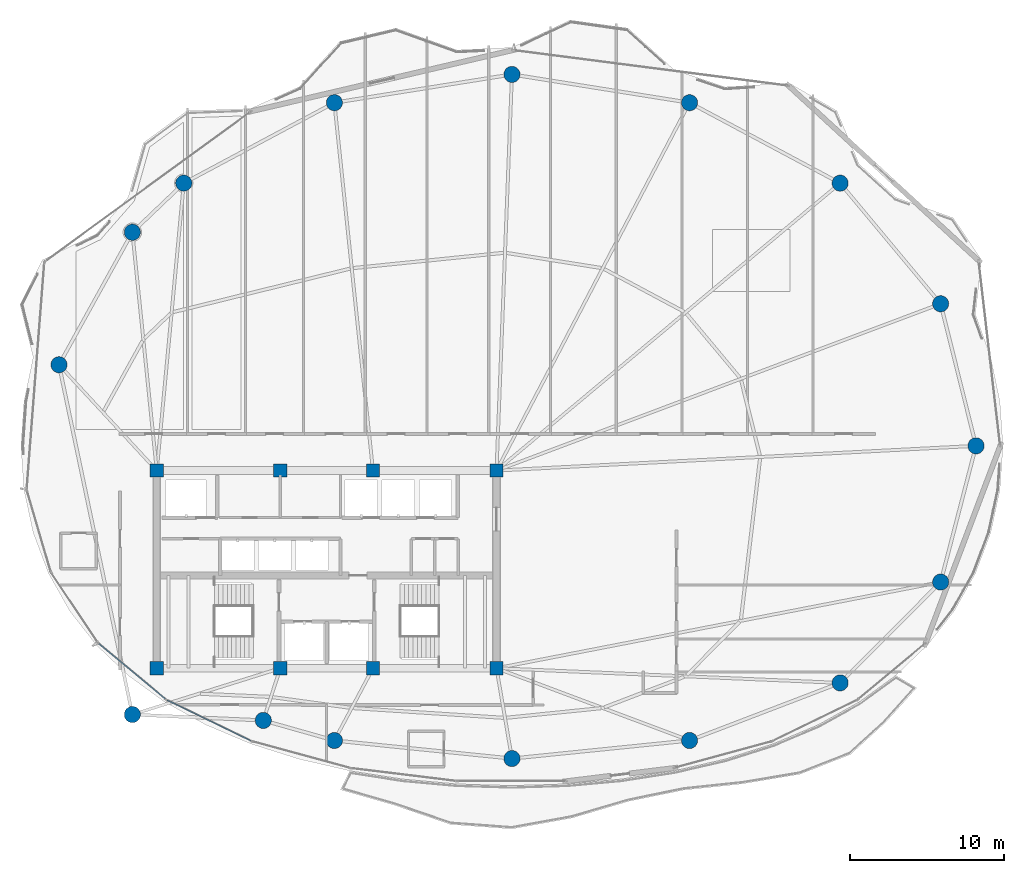
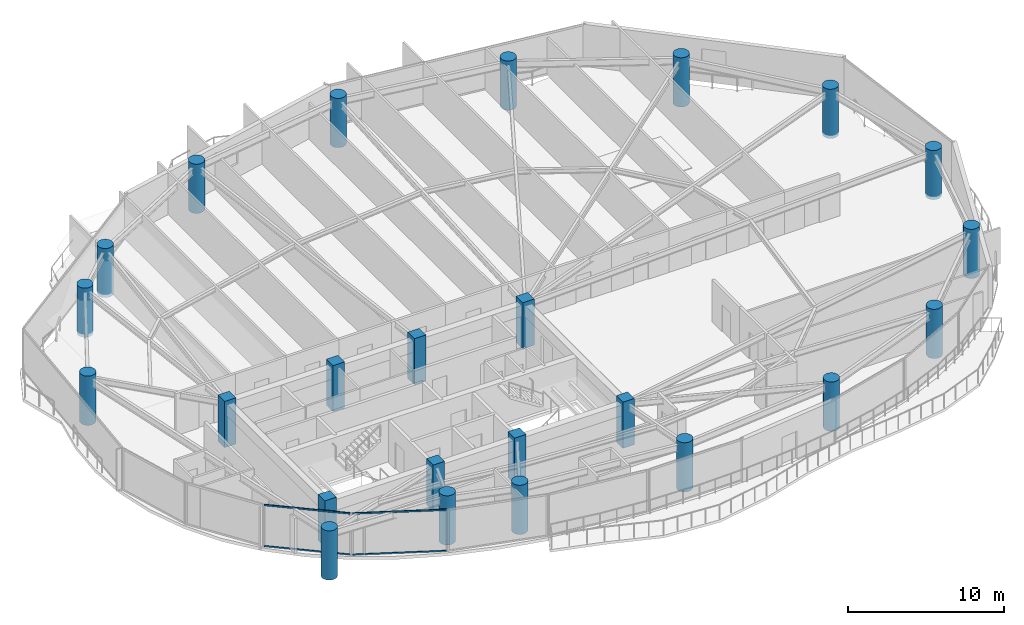
# One storey, part 1 of 31: 24 columns, 4 members, 2 elements without a shape of their own.
"""IFC4 building model written with IfcOpenShell, lengths in metres."""

from ifc_helpers import new_model, si_unit, direction, frame, origin, origin_2d, place, context, subcontext, project, spatial, rectangle, hollow_rectangle, circle, extrude, material, layer, layer_set, material_profile, profile_set, type_object, element, aggregate, save


model = new_model("IFC4")

# Units and contexts
model_context = context("Model", 3, precision=1e-05, world=origin(), true_north=direction((0.0, 1.0)))
body_context = subcontext(model_context, "Body", "Model", "MODEL_VIEW")
ifc_project = project(units=[si_unit("LENGTHUNIT", "METRE"), si_unit("AREAUNIT", "SQUARE_METRE"), si_unit("VOLUMEUNIT", "CUBIC_METRE"), si_unit("PLANEANGLEUNIT", "RADIAN"), si_unit("MASSUNIT", "GRAM", prefix="KILO")], contexts=[model_context])

# Site, building, storey
site_placement = place(None, origin())
site = spatial("IfcSite", under=ifc_project, at=site_placement, CompositionType="ELEMENT")
building_placement = place(site_placement, origin())
building = spatial("IfcBuilding", under=site, at=building_placement, Name="Kazevale Care Tower and Concert Hall", CompositionType="ELEMENT")
storey_placement = place(building_placement, frame((0.0, 0.0, 187.199951171875)))
storey = spatial("IfcBuildingStorey", under=building, at=storey_placement, Name="L49", CompositionType="ELEMENT", Elevation=187.199951171875)

# Columns
ifc_material_1 = material(Name="Concrete C50", Category="concrete")
ifc_material_profile_1 = material_profile(ifc_material_1, rectangle(XDim=0.85009765625, YDim=0.85009765625, at=origin_2d()), Name="RC-SQ850")
ifc_profile_set_1 = profile_set([ifc_material_profile_1], Name="Concrete C50")
column_type_1 = type_object("IfcColumnType", Name="Core Column SQ850 C50", PredefinedType="COLUMN", material=ifc_profile_set_1)
for number, where, z_axis, x_axis, name in (
    (1, (22.0, 23.60009765625, 0.0), (0.0, 0.0, 1.0), (1.0, 0.0, 0.0), "col:L49:CC-01"),
    (2, (30.0, 23.60009765625, 0.0), (0.0, 0.0, 1.0), (1.0, 0.0, 0.0), "col:L49:CC-02"),
    (3, (36.0, 23.60009765625, 0.0), (0.0, 0.0, 1.0), (1.0, 0.0, 0.0), "col:L49:CC-03"),
    (4, (44.0, 23.60009765625, 0.0), (0.0, 0.0, 1.0), (1.0, 0.0, 0.0), "col:L49:CC-04"),
    (5, (44.0, 36.39990234375, 0.0), (0.0, 0.0, 1.0), (1.0, 0.0, 0.0), "col:L49:CC-05"),
    (6, (36.0, 36.39990234375, 0.0), (0.0, 0.0, 1.0), (1.0, 0.0, 0.0), "col:L49:CC-06"),
    (7, (30.0, 36.39990234375, 0.0), (0.0, 0.0, 1.0), (1.0, 0.0, 0.0), "col:L49:CC-07"),
    (8, (22.0, 36.39990234375, 0.0), (0.0, 0.0, 1.0), (1.0, 0.0, 0.0), "col:L49:CC-08"),
):
    element("IfcColumn", number, at=place(storey_placement, frame(where, z_axis=z_axis, x_axis=x_axis)), inside=storey, type_object=column_type_1, Name=name, PredefinedType="COLUMN", context=body_context, shape_type="SweptSolid", body=[
        extrude(rectangle(XDim=0.85009765625, YDim=0.85009765625, at=origin_2d()), origin(), (0.0, 0.0, 1.0), 3.60009765625),
    ])
ifc_material_profile_2 = material_profile(ifc_material_1, circle(Radius=0.52490234375, at=origin_2d()), Name="RC-CIR1050")
ifc_profile_set_2 = profile_set([ifc_material_profile_2], Name="Concrete C50")
column_type_2 = type_object("IfcColumnType", Name="Perimeter Column CIR1050 C50", PredefinedType="COLUMN", material=ifc_profile_set_2)
for number, where, z_axis, x_axis, name in (
    (9, (75.050048828125, 38.0, -0.239990234375), (0.0, 0.0, 1.0), (1.0, 0.0, 0.0), "col:L49:PC-01"),
    (10, (72.760009765625, 47.199951171875, -0.239990234375), (0.0, 0.0, 1.0), (1.0, 0.0, 0.0), "col:L49:PC-02"),
    (11, (66.25, 55.010009765625, -0.239990234375), (0.0, 0.0, 1.0), (1.0, 0.0, 0.0), "col:L49:PC-03"),
    (12, (56.5, 60.219970703125, -0.239990234375), (0.0, 0.0, 1.0), (1.0, 0.0, 0.0), "col:L49:PC-04"),
    (13, (45.0, 62.050048828125, -0.239990234375), (0.0, 0.0, 1.0), (1.0, 0.0, 0.0), "col:L49:PC-05"),
    (14, (33.5, 60.219970703125, -0.239990234375), (0.0, 0.0, 1.0), (1.0, 0.0, 0.0), "col:L49:PC-06"),
    (15, (23.75, 55.010009765625, -0.239990234375), (0.0, 0.0, 1.0), (1.0, 0.0, 0.0), "col:L49:PC-07"),
    (16, (20.419921875, 51.830078125, -0.239990234375), (0.0, 0.0, 1.0), (1.0, 0.0, 0.0), "col:L49:PC-08"),
    (17, (15.669921875, 43.25, -0.239990234375), (0.0, 0.0, 1.0), (1.0, 0.0, 0.0), "col:L49:PC-09"),
    (18, (20.419921875, 20.60009765625, -0.239990234375), (0.0, 0.0, 1.0), (1.0, 0.0, 0.0), "col:L49:PC-10"),
    (19, (28.89990234375, 20.219970703125, -0.239990234375), (0.0, 0.0, 1.0), (1.0, 0.0, 0.0), "col:L49:PC-11"),
    (20, (33.5, 18.919921875, -0.239990234375), (0.0, 0.0, 1.0), (1.0, 0.0, 0.0), "col:L49:PC-12"),
    (21, (45.0, 17.75, -0.239990234375), (0.0, 0.0, 1.0), (1.0, 0.0, 0.0), "col:L49:PC-13"),
    (22, (56.5, 18.919921875, -0.239990234375), (0.0, 0.0, 1.0), (1.0, 0.0, 0.0), "col:L49:PC-14"),
    (23, (66.25, 22.64990234375, -0.239990234375), (0.0, 0.0, 1.0), (1.0, 0.0, 0.0), "col:L49:PC-15"),
    (24, (72.760009765625, 29.179931640625, -0.239990234375), (0.0, 0.0, 1.0), (1.0, 0.0, 0.0), "col:L49:PC-16"),
):
    element("IfcColumn", number, at=place(storey_placement, frame(where, z_axis=z_axis, x_axis=x_axis)), inside=storey, type_object=column_type_2, Name=name, PredefinedType="COLUMN", context=body_context, shape_type="SweptSolid", body=[
        extrude(circle(Radius=0.52490234375, at=origin_2d()), origin(), (0.0, 0.0, 1.0), 3.840087890625),
    ])

# Curtain wall, members
ifc_material_2 = material(Name="Aluminium 6063-T6 and Low-E Glass", Category="aluminium")
ifc_layer = layer(ifc_material_2, 0.179931640625)
ifc_layer_set = layer_set([ifc_layer], Name="Aluminium 6063-T6 and Low-E Glass")
curtain_wall_type = type_object("IfcCurtainWallType", Name="Sheltered Concave Balcony Curtain Wall CW-5", PredefinedType="NOTDEFINED", material=ifc_layer_set)
curtain_wall_1_placement = place(storey_placement, origin())
curtain_wall_1 = element("IfcCurtainWall", 25, at=curtain_wall_1_placement, inside=storey, type_object=curtain_wall_type, Name="cw:L49:f09", PredefinedType="NOTDEFINED")
ifc_material_3 = material(Name="Aluminium 6063-T6", Category="aluminium")
ifc_material_profile_3 = material_profile(ifc_material_3, hollow_rectangle(XDim=0.074951171875, YDim=0.1201171875, WallThickness=0.00390625, at=origin_2d()), Name="ALU75x120x4")
ifc_profile_set_3 = profile_set([ifc_material_profile_3], Name="Aluminium 6063-T6")
member_type = type_object("IfcMemberType", Name="CW-5 Transom ALU75x120x4", PredefinedType="USERDEFINED", material=ifc_profile_set_3)
member_1_placement = place(storey_placement, frame((28.07666015625, 18.90576171875, 0.03759765625), z_axis=(-0.899342308406, 0.437245254189, 0.0), x_axis=(-0.437245254189, -0.899342308406, 0.0)))
member_1 = element("IfcMember", 26, at=member_1_placement, type_object=member_type, Name="CW-5 transom 1.1", ObjectType="TRANSOM", PredefinedType="USERDEFINED", context=body_context, shape_type="SweptSolid", body=[
    extrude(hollow_rectangle(XDim=0.074951171875, YDim=0.1201171875, WallThickness=0.00390625, at=origin_2d()), origin(), (0.0, 0.0, 1.0), 6.00244140625),
])
member_2_placement = place(storey_placement, frame((28.07666015625, 18.90576171875, 3.242431640625), z_axis=(-0.899342308406, 0.437245254189, 0.0), x_axis=(-0.437245254189, -0.899342308406, 0.0)))
member_2 = element("IfcMember", 27, at=member_2_placement, type_object=member_type, Name="CW-5 transom 1.2", ObjectType="TRANSOM", PredefinedType="USERDEFINED", context=body_context, shape_type="SweptSolid", body=[
    extrude(hollow_rectangle(XDim=0.074951171875, YDim=0.1201171875, WallThickness=0.00390625, at=origin_2d()), origin(), (0.0, 0.0, 1.0), 6.00244140625),
])
aggregate(curtain_wall_1, [member_1, member_2])

curtain_wall_2_placement = place(storey_placement, origin())
curtain_wall_2 = element("IfcCurtainWall", 28, at=curtain_wall_2_placement, inside=storey, type_object=curtain_wall_type, Name="cw:L49:f10", PredefinedType="NOTDEFINED")
member_3_placement = place(storey_placement, frame((22.553466796875, 21.611083984375, 0.03759765625), z_axis=(-0.768432829708, 0.639930454211, 0.0), x_axis=(-0.639930454211, -0.768432829708, 0.0)))
member_3 = element("IfcMember", 29, at=member_3_placement, type_object=member_type, Name="CW-5 transom 1.1", ObjectType="TRANSOM", PredefinedType="USERDEFINED", context=body_context, shape_type="SweptSolid", body=[
    extrude(hollow_rectangle(XDim=0.074951171875, YDim=0.1201171875, WallThickness=0.00390625, at=origin_2d()), origin(), (0.0, 0.0, 1.0), 5.580078125),
])
member_4_placement = place(storey_placement, frame((22.553466796875, 21.611083984375, 3.242431640625), z_axis=(-0.768432829708, 0.639930454211, 0.0), x_axis=(-0.639930454211, -0.768432829708, 0.0)))
member_4 = element("IfcMember", 30, at=member_4_placement, type_object=member_type, Name="CW-5 transom 1.2", ObjectType="TRANSOM", PredefinedType="USERDEFINED", context=body_context, shape_type="SweptSolid", body=[
    extrude(hollow_rectangle(XDim=0.074951171875, YDim=0.1201171875, WallThickness=0.00390625, at=origin_2d()), origin(), (0.0, 0.0, 1.0), 5.580078125),
])
aggregate(curtain_wall_2, [member_3, member_4])

save(model, "model.ifc")
